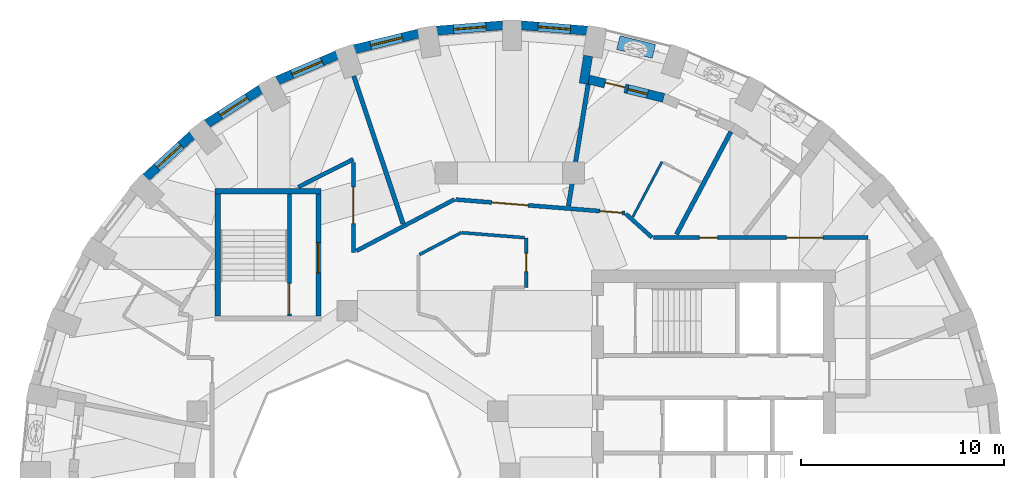
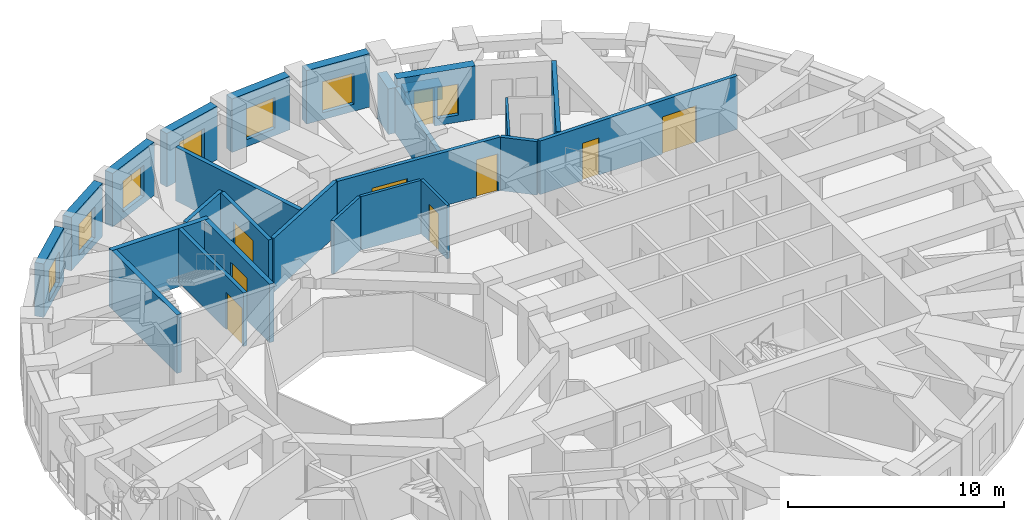
# One storey, part 7 of 12: 26 walls, 9 doors, 7 windows, 16 openings.
"""IFC4 building model written with IfcOpenShell, lengths in metres."""

from ifc_helpers import new_model, si_unit, direction, frame, frame_2d, origin, place, context, subcontext, project, spatial, rectangle, extrude, material, layer, layer_set, constituent, constituent_set, type_object, element, fill, save


model = new_model("IFC4")

# Units and contexts
model_context = context("Model", 3, precision=1e-05, world=origin(), true_north=direction((0.0, 1.0)))
body_context = subcontext(model_context, "Body", "Model", "MODEL_VIEW")
ifc_project = project(units=[si_unit("LENGTHUNIT", "METRE"), si_unit("AREAUNIT", "SQUARE_METRE"), si_unit("VOLUMEUNIT", "CUBIC_METRE"), si_unit("PLANEANGLEUNIT", "RADIAN"), si_unit("MASSUNIT", "GRAM", prefix="KILO")], contexts=[model_context])

# Site, building, storey
site_placement = place(None, origin())
site = spatial("IfcSite", under=ifc_project, at=site_placement, CompositionType="ELEMENT")
building_placement = place(site_placement, origin())
building = spatial("IfcBuilding", under=site, at=building_placement, Name="Taillehof Tower", CompositionType="ELEMENT")
storey_placement = place(building_placement, frame((0.0, 0.0, 151.699951171875)))
storey = spatial("IfcBuildingStorey", under=building, at=storey_placement, Name="L42", CompositionType="ELEMENT", Elevation=151.699951171875)

# Wall, opening, window
ifc_material_1 = material(Name="Brick masonry", Category="masonry")
ifc_layer_1 = layer(ifc_material_1, 0.449951171875)
ifc_layer_set_1 = layer_set([ifc_layer_1], Name="Brick infill wall 450")
wall_type_1 = type_object("IfcWallType", Name="Brick infill wall 450", PredefinedType="SOLIDWALL", material=ifc_layer_set_1)
wall_1_placement = place(storey_placement, frame((3.80078125, 21.778076171875, 0.0), z_axis=(0.0, 0.0, 1.0), x_axis=(-0.996812416891, 0.079780984773, 0.0)))
wall_1 = element("IfcWall", 1, at=wall_1_placement, inside=storey, type_object=wall_type_1, Name="Brick wall L42 bay 9", PredefinedType="SOLIDWALL", context=body_context, shape_type="SweptSolid", body=[
    extrude(rectangle(XDim=3.256103515625, YDim=0.449951171875, at=frame_2d((1.6279296875, 0.0))), origin(), (0.0, 0.0, 1.0), 3.02001953125),
])
opening_1_placement = place(wall_1_placement, frame((0.827880859375, 0.0, 0.39990234375)))
opening_1 = element("IfcOpeningElement", 2, at=opening_1_placement, cuts=wall_1, Name="Opening W3", PredefinedType="OPENING", context=body_context, shape_type="SweptSolid", body=[
    extrude(rectangle(XDim=1.60009765625, YDim=1.75, at=frame_2d((0.800048828125, 0.875))), frame((0.0, 0.23486328125, 0.0), z_axis=(0.0, -1.0, 0.0), x_axis=(1.0, 0.0, 0.0)), (0.0, 0.0, 1.0), 0.469970703125),
])
ifc_material_2 = material(Name="Aluminium window frame with clear double glazing", Category="aluminium")
window_type_1 = type_object("IfcWindowType", Name="Deep-set window 1600x1750", PartitioningType="SINGLE_PANEL", PredefinedType="WINDOW", material=ifc_material_2)
window_1_placement = place(opening_1_placement, origin())
window_1 = element("IfcWindow", 3, at=window_1_placement, inside=storey, type_object=window_type_1, Name="W3", OverallHeight=1.75, OverallWidth=1.60009765625, PartitioningType="SINGLE_PANEL", PredefinedType="WINDOW", context=body_context, shape_type="SweptSolid", body=[
    extrude(rectangle(XDim=1.60009765625, YDim=1.75, at=frame_2d((0.800048828125, 0.875))), frame((0.0, 0.034912109375, 0.0), z_axis=(0.0, -1.0, 0.0), x_axis=(1.0, 0.0, 0.0)), (0.0, 0.0, 1.0), 0.06005859375),
])
fill(opening_1, window_1)

wall_2_placement = place(storey_placement, frame((-0.35498046875, 22.037841796875, 0.0), z_axis=(0.0, 0.0, 1.0), x_axis=(-0.996812416891, -0.079780984773, 0.0)))
wall_2 = element("IfcWall", 4, at=wall_2_placement, inside=storey, type_object=wall_type_1, Name="Brick wall L42 bay 10", PredefinedType="SOLIDWALL", context=body_context, shape_type="SweptSolid", body=[
    extrude(rectangle(XDim=3.256103515625, YDim=0.449951171875, at=frame_2d((1.6279296875, 0.0))), origin(), (0.0, 0.0, 1.0), 3.02001953125),
])
opening_2_placement = place(wall_2_placement, frame((0.827880859375, 0.0, 0.39990234375)))
opening_2 = element("IfcOpeningElement", 5, at=opening_2_placement, cuts=wall_2, Name="Opening W3", PredefinedType="OPENING", context=body_context, shape_type="SweptSolid", body=[
    extrude(rectangle(XDim=1.60009765625, YDim=1.75, at=frame_2d((0.800048828125, 0.875))), frame((0.0, 0.23486328125, 0.0), z_axis=(0.0, -1.0, 0.0), x_axis=(1.0, 0.0, 0.0)), (0.0, 0.0, 1.0), 0.469970703125),
])
window_2_placement = place(opening_2_placement, origin())
window_2 = element("IfcWindow", 6, at=window_2_placement, inside=storey, type_object=window_type_1, Name="W3", OverallHeight=1.75, OverallWidth=1.60009765625, PartitioningType="SINGLE_PANEL", PredefinedType="WINDOW", context=body_context, shape_type="SweptSolid", body=[
    extrude(rectangle(XDim=1.60009765625, YDim=1.75, at=frame_2d((0.800048828125, 0.875))), frame((0.0, 0.034912109375, 0.0), z_axis=(0.0, -1.0, 0.0), x_axis=(1.0, 0.0, 0.0)), (0.0, 0.0, 1.0), 0.06005859375),
])
fill(opening_2, window_2)

wall_3_placement = place(storey_placement, frame((-4.499267578125, 21.633056640625, 0.0), z_axis=(0.0, 0.0, 1.0), x_axis=(-0.971232901476, -0.238131583563, 0.0)))
wall_3 = element("IfcWall", 7, at=wall_3_placement, inside=storey, type_object=wall_type_1, Name="Brick wall L42 bay 11", PredefinedType="SOLIDWALL", context=body_context, shape_type="SweptSolid", body=[
    extrude(rectangle(XDim=3.236572265625, YDim=0.449951171875, at=frame_2d((1.6181640625, 0.0))), origin(), (0.0, 0.0, 1.0), 3.02001953125),
])
opening_3_placement = place(wall_3_placement, frame((0.818359375, 0.0, 0.39990234375)))
opening_3 = element("IfcOpeningElement", 8, at=opening_3_placement, cuts=wall_3, Name="Opening W3", PredefinedType="OPENING", context=body_context, shape_type="SweptSolid", body=[
    extrude(rectangle(XDim=1.60009765625, YDim=1.75, at=frame_2d((0.800048828125, 0.875))), frame((0.0, 0.23486328125, 0.0), z_axis=(0.0, -1.0, 0.0), x_axis=(1.0, 0.0, 0.0)), (0.0, 0.0, 1.0), 0.469970703125),
])
window_3_placement = place(opening_3_placement, origin())
window_3 = element("IfcWindow", 9, at=window_3_placement, inside=storey, type_object=window_type_1, Name="W3", OverallHeight=1.75, OverallWidth=1.60009765625, PartitioningType="SINGLE_PANEL", PredefinedType="WINDOW", context=body_context, shape_type="SweptSolid", body=[
    extrude(rectangle(XDim=1.60009765625, YDim=1.75, at=frame_2d((0.800048828125, 0.875))), frame((0.0, 0.034912109375, 0.0), z_axis=(0.0, -1.0, 0.0), x_axis=(1.0, 0.0, 0.0)), (0.0, 0.0, 1.0), 0.06005859375),
])
fill(opening_3, window_3)

wall_4_placement = place(storey_placement, frame((-8.50634765625, 20.574462890625, 0.0), z_axis=(0.0, 0.0, 1.0), x_axis=(-0.919798725687, -0.392390499663, 0.0)))
wall_4 = element("IfcWall", 10, at=wall_4_placement, inside=storey, type_object=wall_type_1, Name="Brick wall L42 bay 12", PredefinedType="SOLIDWALL", context=body_context, shape_type="SweptSolid", body=[
    extrude(rectangle(XDim=3.200439453125, YDim=0.449951171875, at=frame_2d((1.60009765625, 0.0))), origin(), (0.0, 0.0, 1.0), 3.02001953125),
])
opening_4_placement = place(wall_4_placement, frame((0.80029296875, 0.0, 0.39990234375)))
opening_4 = element("IfcOpeningElement", 11, at=opening_4_placement, cuts=wall_4, Name="Opening W3", PredefinedType="OPENING", context=body_context, shape_type="SweptSolid", body=[
    extrude(rectangle(XDim=1.60009765625, YDim=1.75, at=frame_2d((0.800048828125, 0.875))), frame((0.0, 0.23486328125, 0.0), z_axis=(0.0, -1.0, 0.0), x_axis=(1.0, 0.0, 0.0)), (0.0, 0.0, 1.0), 0.469970703125),
])
window_4_placement = place(opening_4_placement, origin())
window_4 = element("IfcWindow", 12, at=window_4_placement, inside=storey, type_object=window_type_1, Name="W3", OverallHeight=1.75, OverallWidth=1.60009765625, PartitioningType="SINGLE_PANEL", PredefinedType="WINDOW", context=body_context, shape_type="SweptSolid", body=[
    extrude(rectangle(XDim=1.60009765625, YDim=1.75, at=frame_2d((0.800048828125, 0.875))), frame((0.0, 0.034912109375, 0.0), z_axis=(0.0, -1.0, 0.0), x_axis=(1.0, 0.0, 0.0)), (0.0, 0.0, 1.0), 0.06005859375),
])
fill(opening_4, window_4)

wall_5_placement = place(storey_placement, frame((-12.2548828125, 18.893310546875, 0.0), z_axis=(0.0, 0.0, 1.0), x_axis=(-0.842030726237, -0.539429565442, 0.0)))
wall_5 = element("IfcWall", 13, at=wall_5_placement, inside=storey, type_object=wall_type_1, Name="Brick wall L42 bay 13", PredefinedType="SOLIDWALL", context=body_context, shape_type="SweptSolid", body=[
    extrude(rectangle(XDim=3.1513671875, YDim=0.449951171875, at=frame_2d((1.57568359375, 0.0))), origin(), (0.0, 0.0, 1.0), 3.02001953125),
])
opening_5_placement = place(wall_5_placement, frame((0.775634765625, 0.0, 0.39990234375)))
opening_5 = element("IfcOpeningElement", 14, at=opening_5_placement, cuts=wall_5, Name="Opening W3", PredefinedType="OPENING", context=body_context, shape_type="SweptSolid", body=[
    extrude(rectangle(XDim=1.60009765625, YDim=1.75, at=frame_2d((0.800048828125, 0.875))), frame((0.0, 0.23486328125, 0.0), z_axis=(0.0, -1.0, 0.0), x_axis=(1.0, 0.0, 0.0)), (0.0, 0.0, 1.0), 0.469970703125),
])
window_5_placement = place(opening_5_placement, origin())
window_5 = element("IfcWindow", 15, at=window_5_placement, inside=storey, type_object=window_type_1, Name="W3", OverallHeight=1.75, OverallWidth=1.60009765625, PartitioningType="SINGLE_PANEL", PredefinedType="WINDOW", context=body_context, shape_type="SweptSolid", body=[
    extrude(rectangle(XDim=1.60009765625, YDim=1.75, at=frame_2d((0.800048828125, 0.875))), frame((0.0, 0.034912109375, 0.0), z_axis=(0.0, -1.0, 0.0), x_axis=(1.0, 0.0, 0.0)), (0.0, 0.0, 1.0), 0.06005859375),
])
fill(opening_5, window_5)

wall_6_placement = place(storey_placement, frame((-15.630126953125, 16.638671875, 0.0), z_axis=(0.0, 0.0, 1.0), x_axis=(-0.737808755941, -0.675009807082, 0.0)))
wall_6 = element("IfcWall", 16, at=wall_6_placement, inside=storey, type_object=wall_type_1, Name="Brick wall L42 bay 14", PredefinedType="SOLIDWALL", context=body_context, shape_type="SweptSolid", body=[
    extrude(rectangle(XDim=3.094482421875, YDim=0.449951171875, at=frame_2d((1.54736328125, 0.0))), origin(), (0.0, 0.0, 1.0), 3.02001953125),
])
opening_6_placement = place(wall_6_placement, frame((0.747314453125, 0.0, 0.39990234375)))
opening_6 = element("IfcOpeningElement", 17, at=opening_6_placement, cuts=wall_6, Name="Opening W3", PredefinedType="OPENING", context=body_context, shape_type="SweptSolid", body=[
    extrude(rectangle(XDim=1.60009765625, YDim=1.75, at=frame_2d((0.800048828125, 0.875))), frame((0.0, 0.23486328125, 0.0), z_axis=(0.0, -1.0, 0.0), x_axis=(1.0, 0.0, 0.0)), (0.0, 0.0, 1.0), 0.469970703125),
])
window_6_placement = place(opening_6_placement, origin())
window_6 = element("IfcWindow", 18, at=window_6_placement, inside=storey, type_object=window_type_1, Name="W3", OverallHeight=1.75, OverallWidth=1.60009765625, PartitioningType="SINGLE_PANEL", PredefinedType="WINDOW", context=body_context, shape_type="SweptSolid", body=[
    extrude(rectangle(XDim=1.60009765625, YDim=1.75, at=frame_2d((0.800048828125, 0.875))), frame((0.0, 0.034912109375, 0.0), z_axis=(0.0, -1.0, 0.0), x_axis=(1.0, 0.0, 0.0)), (0.0, 0.0, 1.0), 0.06005859375),
])
fill(opening_6, window_6)

# Wall
wall_7_placement = place(storey_placement, frame((3.84375, 20.537841796875, 0.0), z_axis=(0.0, 0.0, 1.0), x_axis=(-0.159641024018, -0.98717513312, 0.0)))
element("IfcWall", 19, at=wall_7_placement, inside=storey, type_object=wall_type_1, Name="Brick reveal L42 pocket 1", PredefinedType="SOLIDWALL", context=body_context, shape_type="SweptSolid", body=[
    extrude(rectangle(XDim=1.39013671875, YDim=0.449951171875, at=frame_2d((0.695068359375, 0.0))), origin(), (0.0, 0.0, 1.0), 2.570068359375),
])

# Wall, openings, door, window
wall_8_placement = place(storey_placement, frame((7.56298828125, 18.46630859375, 0.0), z_axis=(0.0, 0.0, 1.0), x_axis=(-0.97110866251, 0.238637728782, 0.0)))
wall_8 = element("IfcWall", 20, at=wall_8_placement, inside=storey, type_object=wall_type_1, Name="Brick wall L42 pocket bay 8", PredefinedType="SOLIDWALL", context=body_context, shape_type="SweptSolid", body=[
    extrude(rectangle(XDim=3.789306640625, YDim=0.449951171875, at=frame_2d((1.89453125, 0.0))), origin(), (0.0, 0.0, 1.0), 3.02001953125),
])
opening_7_placement = place(wall_8_placement, frame((0.81982421875, 0.0, 0.39990234375)))
opening_7 = element("IfcOpeningElement", 21, at=opening_7_placement, cuts=wall_8, Name="Opening W5", PredefinedType="OPENING", context=body_context, shape_type="SweptSolid", body=[
    extrude(rectangle(XDim=1.0, YDim=1.75, at=frame_2d((0.5, 0.875))), frame((0.0, 0.23486328125, 0.0), z_axis=(0.0, -1.0, 0.0), x_axis=(1.0, 0.0, 0.0)), (0.0, 0.0, 1.0), 0.469970703125),
])
opening_8_placement = place(wall_8_placement, frame((1.9697265625, 0.0, 0.0)))
opening_8 = element("IfcOpeningElement", 22, at=opening_8_placement, cuts=wall_8, Name="Opening D4296", PredefinedType="OPENING", context=body_context, shape_type="SweptSolid", body=[
    extrude(rectangle(XDim=1.0, YDim=2.14990234375, at=frame_2d((0.5, 1.074951171875))), frame((0.0, 0.23486328125, 0.0), z_axis=(0.0, -1.0, 0.0), x_axis=(1.0, 0.0, 0.0)), (0.0, 0.0, 1.0), 0.469970703125),
])
ifc_material_3 = material(Name="Aluminium door frame with clear double glazing", Category="aluminium")
door_type_1 = type_object("IfcDoorType", Name="Balcony door 1000x2150", OperationType="SINGLE_SWING_RIGHT", PredefinedType="DOOR", material=ifc_material_3)
door_1_placement = place(opening_8_placement, frame((1.0, 0.0, 0.0), z_axis=(0.0, 0.0, 1.0), x_axis=(-1.0, 0.0, 0.0)))
door_1 = element("IfcDoor", 23, at=door_1_placement, inside=storey, type_object=door_type_1, Name="Balcony door L42 bay 8", OperationType="SINGLE_SWING_LEFT", OverallHeight=2.14990234375, OverallWidth=1.0, PredefinedType="DOOR", context=body_context, shape_type="SweptSolid", body=[
    extrude(rectangle(XDim=1.0, YDim=2.14990234375, at=frame_2d((0.5, 1.074951171875))), frame((0.0, 0.0751953125, 0.0), z_axis=(0.0, -1.0, 0.0), x_axis=(1.0, 0.0, 0.0)), (0.0, 0.0, 1.0), 0.050048828125),
])
fill(opening_8, door_1)
ifc_material_4 = material(Name="Aluminium window frame with clear double glazing", Category="aluminium")
window_type_2 = type_object("IfcWindowType", Name="Fixed window 1000x1750", PartitioningType="SINGLE_PANEL", PredefinedType="WINDOW", material=ifc_material_4)
window_7_placement = place(opening_7_placement, origin())
window_7 = element("IfcWindow", 24, at=window_7_placement, inside=storey, type_object=window_type_2, Name="W5", OverallHeight=1.75, OverallWidth=1.0, PartitioningType="SINGLE_PANEL", PredefinedType="WINDOW", context=body_context, shape_type="SweptSolid", body=[
    extrude(rectangle(XDim=1.0, YDim=1.75, at=frame_2d((0.5, 0.875))), frame((0.0, 0.034912109375, 0.0), z_axis=(0.0, -1.0, 0.0), x_axis=(1.0, 0.0, 0.0)), (0.0, 0.0, 1.0), 0.06005859375),
])
fill(opening_7, window_7)

# Wall
ifc_material_5 = material(Name="Gypsum board on steel studs, two layers each side", Category="steel")
ifc_layer_2 = layer(ifc_material_5, 0.199951171875)
ifc_layer_set_2 = layer_set([ifc_layer_2], Name="Compartment wall corridor 200")
wall_type_2 = type_object("IfcWallType", Name="Compartment wall corridor 200", PredefinedType="PARTITIONING", material=ifc_layer_set_2)
wall_9_placement = place(storey_placement, frame((-10.416259765625, 14.08154296875, 0.0), z_axis=(0.0, 0.0, 1.0), x_axis=(0.892396808139, 0.451251522793, 0.0)))
element("IfcWall", 25, at=wall_9_placement, inside=storey, type_object=wall_type_2, Name="Compartment wall", PredefinedType="PARTITIONING", context=body_context, shape_type="SweptSolid", body=[
    extrude(rectangle(XDim=3.0439453125, YDim=0.199951171875, at=frame_2d((1.52197265625, 0.0))), origin(), (0.0, 0.0, 1.0), 3.02001953125),
])

# Wall, opening, door
wall_10_placement = place(storey_placement, frame((-7.699951171875, 15.294921875, 0.0), z_axis=(0.0, 0.0, 1.0), x_axis=(0.0, -1.0, 0.0)))
wall_10 = element("IfcWall", 26, at=wall_10_placement, inside=storey, type_object=wall_type_2, Name="Compartment wall", PredefinedType="PARTITIONING", context=body_context, shape_type="SweptSolid", body=[
    extrude(rectangle(XDim=4.42724609375, YDim=0.199951171875, at=frame_2d((2.213623046875, 0.0))), origin(), (0.0, 0.0, 1.0), 3.02001953125),
])
opening_9_placement = place(wall_10_placement, frame((1.20703125, 0.0, 0.0)))
opening_9 = element("IfcOpeningElement", 27, at=opening_9_placement, cuts=wall_10, Name="Opening D4244", PredefinedType="OPENING", context=body_context, shape_type="SweptSolid", body=[
    extrude(rectangle(XDim=1.800048828125, YDim=2.10009765625, at=frame_2d((0.89990234375, 1.050048828125))), frame((0.0, 0.10986328125, 0.0), z_axis=(0.0, -1.0, 0.0), x_axis=(1.0, 0.0, 0.0)), (0.0, 0.0, 1.0), 0.219970703125),
])
ifc_material_6 = material(Name="Timber door leaf in steel frame", Category="steel")
door_type_2 = type_object("IfcDoorType", Name="Lounge and meeting room double door EI 30 1800 x 2100", OperationType="SINGLE_SWING_LEFT", PredefinedType="DOOR", material=ifc_material_6)
door_2_placement = place(opening_9_placement, origin())
door_2 = element("IfcDoor", 28, at=door_2_placement, inside=storey, type_object=door_type_2, Name="D4244", OperationType="DOUBLE_DOOR_SINGLE_SWING", OverallHeight=2.10009765625, OverallWidth=1.800048828125, PredefinedType="DOOR", context=body_context, shape_type="SweptSolid", body=[
    extrude(rectangle(XDim=1.800048828125, YDim=2.10009765625, at=frame_2d((0.89990234375, 1.050048828125))), frame((0.0, 0.02490234375, 0.0), z_axis=(0.0, -1.0, 0.0), x_axis=(1.0, 0.0, 0.0)), (0.0, 0.0, 1.0), 0.050048828125),
])
fill(opening_9, door_2)

# Wall
wall_11_placement = place(storey_placement, frame((-7.557373046875, 10.94189453125, 0.0), z_axis=(0.0, 0.0, 1.0), x_axis=(0.885672830659, 0.464309850244, 0.0)))
element("IfcWall", 29, at=wall_11_placement, inside=storey, type_object=wall_type_2, Name="Compartment wall", PredefinedType="PARTITIONING", context=body_context, shape_type="SweptSolid", body=[
    extrude(rectangle(XDim=5.45166015625, YDim=0.199951171875, at=frame_2d((2.725830078125, 0.0))), origin(), (0.0, 0.0, 1.0), 3.02001953125),
])

# Wall, openings, doors
wall_12_placement = place(storey_placement, frame((-2.6689453125, 13.468017578125, 0.0), z_axis=(0.0, 0.0, 1.0), x_axis=(0.996831622407, -0.079540659849, 0.0)))
wall_12 = element("IfcWall", 30, at=wall_12_placement, inside=storey, type_object=wall_type_2, Name="Compartment wall", PredefinedType="PARTITIONING", context=body_context, shape_type="SweptSolid", body=[
    extrude(rectangle(XDim=8.3486328125, YDim=0.199951171875, at=frame_2d((4.17431640625, 0.0))), origin(), (0.0, 0.0, 1.0), 3.02001953125),
])
opening_10_placement = place(wall_12_placement, frame((7.108642578125, 0.0, 0.0)))
opening_10 = element("IfcOpeningElement", 31, at=opening_10_placement, cuts=wall_12, Name="Opening D4241", PredefinedType="OPENING", context=body_context, shape_type="SweptSolid", body=[
    extrude(rectangle(XDim=1.10009765625, YDim=2.10009765625, at=frame_2d((0.550048828125, 1.050048828125))), frame((0.0, 0.10986328125, 0.0), z_axis=(0.0, -1.0, 0.0), x_axis=(1.0, 0.0, 0.0)), (0.0, 0.0, 1.0), 0.219970703125),
])
opening_11_placement = place(wall_12_placement, frame((1.774658203125, 0.0, 0.0)))
opening_11 = element("IfcOpeningElement", 32, at=opening_11_placement, cuts=wall_12, Name="Opening D4243", PredefinedType="OPENING", context=body_context, shape_type="SweptSolid", body=[
    extrude(rectangle(XDim=1.800048828125, YDim=2.10009765625, at=frame_2d((0.89990234375, 1.050048828125))), frame((0.0, 0.10986328125, 0.0), z_axis=(0.0, -1.0, 0.0), x_axis=(1.0, 0.0, 0.0)), (0.0, 0.0, 1.0), 0.219970703125),
])
ifc_material_7 = material(Name="Timber door leaf in steel frame", Category="steel")
door_type_3 = type_object("IfcDoorType", Name="Accessible guest room door EI 30 1100 x 2100", OperationType="SINGLE_SWING_LEFT", PredefinedType="DOOR", material=ifc_material_7)
door_3_placement = place(opening_10_placement, origin())
door_3 = element("IfcDoor", 33, at=door_3_placement, inside=storey, type_object=door_type_3, Name="D4241", OperationType="SINGLE_SWING_LEFT", OverallHeight=2.10009765625, OverallWidth=1.10009765625, PredefinedType="DOOR", context=body_context, shape_type="SweptSolid", body=[
    extrude(rectangle(XDim=1.10009765625, YDim=2.10009765625, at=frame_2d((0.550048828125, 1.050048828125))), frame((0.0, 0.02490234375, 0.0), z_axis=(0.0, -1.0, 0.0), x_axis=(1.0, 0.0, 0.0)), (0.0, 0.0, 1.0), 0.050048828125),
])
fill(opening_10, door_3)
door_4_placement = place(opening_11_placement, origin())
door_4 = element("IfcDoor", 34, at=door_4_placement, inside=storey, type_object=door_type_2, Name="D4243", OperationType="DOUBLE_DOOR_SINGLE_SWING", OverallHeight=2.10009765625, OverallWidth=1.800048828125, PredefinedType="DOOR", context=body_context, shape_type="SweptSolid", body=[
    extrude(rectangle(XDim=1.800048828125, YDim=2.10009765625, at=frame_2d((0.89990234375, 1.050048828125))), frame((0.0, 0.02490234375, 0.0), z_axis=(0.0, -1.0, 0.0), x_axis=(1.0, 0.0, 0.0)), (0.0, 0.0, 1.0), 0.050048828125),
])
fill(opening_11, door_4)

# Wall
wall_13_placement = place(storey_placement, frame((5.697998046875, 12.763671875, 0.0), z_axis=(0.0, 0.0, 1.0), x_axis=(0.742944876657, -0.669352605321, 0.0)))
element("IfcWall", 35, at=wall_13_placement, inside=storey, type_object=wall_type_2, Name="Compartment wall", PredefinedType="PARTITIONING", context=body_context, shape_type="SweptSolid", body=[
    extrude(rectangle(XDim=1.73828125, YDim=0.199951171875, at=frame_2d((0.869140625, 0.0))), origin(), (0.0, 0.0, 1.0), 3.02001953125),
])

# Wall, openings, doors
wall_14_placement = place(storey_placement, frame((7.049560546875, 11.60009765625, 0.0), z_axis=(0.0, 0.0, 1.0), x_axis=(1.0, 0.0, 0.0)))
wall_14 = element("IfcWall", 36, at=wall_14_placement, inside=storey, type_object=wall_type_2, Name="Compartment wall", PredefinedType="PARTITIONING", context=body_context, shape_type="SweptSolid", body=[
    extrude(rectangle(XDim=10.550537109375, YDim=0.199951171875, at=frame_2d((5.275390625, 0.0))), origin(), (0.0, 0.0, 1.0), 3.02001953125),
])
opening_12_placement = place(wall_14_placement, frame((2.263671875, 0.0, 0.0)))
opening_12 = element("IfcOpeningElement", 37, at=opening_12_placement, cuts=wall_14, Name="Opening D4240", PredefinedType="OPENING", context=body_context, shape_type="SweptSolid", body=[
    extrude(rectangle(XDim=0.89990234375, YDim=2.10009765625, at=frame_2d((0.449951171875, 1.050048828125))), frame((0.0, 0.10986328125, 0.0), z_axis=(0.0, -1.0, 0.0), x_axis=(1.0, 0.0, 0.0)), (0.0, 0.0, 1.0), 0.219970703125),
])
opening_13_placement = place(wall_14_placement, frame((6.552734375, 0.0, 0.0)))
opening_13 = element("IfcOpeningElement", 38, at=opening_13_placement, cuts=wall_14, Name="Opening D4259", PredefinedType="OPENING", context=body_context, shape_type="SweptSolid", body=[
    extrude(rectangle(XDim=1.800048828125, YDim=2.10009765625, at=frame_2d((0.89990234375, 1.050048828125))), frame((0.0, 0.10986328125, 0.0), z_axis=(0.0, -1.0, 0.0), x_axis=(1.0, 0.0, 0.0)), (0.0, 0.0, 1.0), 0.219970703125),
])
door_5_placement = place(opening_13_placement, origin())
door_5 = element("IfcDoor", 39, at=door_5_placement, inside=storey, type_object=door_type_2, Name="D4259", OperationType="DOUBLE_DOOR_SINGLE_SWING", OverallHeight=2.10009765625, OverallWidth=1.800048828125, PredefinedType="DOOR", context=body_context, shape_type="SweptSolid", body=[
    extrude(rectangle(XDim=1.800048828125, YDim=2.10009765625, at=frame_2d((0.89990234375, 1.050048828125))), frame((0.0, 0.02490234375, 0.0), z_axis=(0.0, -1.0, 0.0), x_axis=(1.0, 0.0, 0.0)), (0.0, 0.0, 1.0), 0.050048828125),
])
fill(opening_13, door_5)
ifc_material_8 = material(Name="Timber door leaf in steel frame", Category="steel")
door_type_4 = type_object("IfcDoorType", Name="Service room door EI 30 900 x 2100", OperationType="SINGLE_SWING_LEFT", PredefinedType="DOOR", material=ifc_material_8)
door_6_placement = place(opening_12_placement, origin())
door_6 = element("IfcDoor", 40, at=door_6_placement, inside=storey, type_object=door_type_4, Name="D4240", OperationType="SINGLE_SWING_LEFT", OverallHeight=2.10009765625, OverallWidth=0.89990234375, PredefinedType="DOOR", context=body_context, shape_type="SweptSolid", body=[
    extrude(rectangle(XDim=0.89990234375, YDim=2.10009765625, at=frame_2d((0.449951171875, 1.050048828125))), frame((0.0, 0.02490234375, 0.0), z_axis=(0.0, -1.0, 0.0), x_axis=(1.0, 0.0, 0.0)), (0.0, 0.0, 1.0), 0.050048828125),
])
fill(opening_12, door_6)

# Walls
ifc_material_9 = material(Name="Gypsum board on double steel studs with mineral wool", Category="steel")
ifc_layer_3 = layer(ifc_material_9, 0.219970703125)
ifc_layer_set_3 = layer_set([ifc_layer_3], Name="Compartment wall guest room 220")
wall_type_3 = type_object("IfcWallType", Name="Compartment wall guest room 220", PredefinedType="PARTITIONING", material=ifc_layer_set_3)
wall_15_placement = place(storey_placement, frame((10.865234375, 16.805908203125, 0.0), z_axis=(0.0, 0.0, 1.0), x_axis=(-0.468046615648, -0.883703777054, 0.0)))
element("IfcWall", 41, at=wall_15_placement, inside=storey, type_object=wall_type_3, Name="Compartment wall", PredefinedType="PARTITIONING", context=body_context, shape_type="SweptSolid", body=[
    extrude(rectangle(XDim=5.718017578125, YDim=0.219970703125, at=frame_2d((2.85888671875, 0.0))), origin(), (0.0, 0.0, 1.0), 3.02001953125),
])
wall_16_placement = place(storey_placement, frame((3.846923828125, 19.14794921875, 0.0), z_axis=(0.0, 0.0, 1.0), x_axis=(-0.159656618209, -0.987172611179, 0.0)))
element("IfcWall", 42, at=wall_16_placement, inside=storey, type_object=wall_type_3, Name="Compartment wall", PredefinedType="PARTITIONING", context=body_context, shape_type="SweptSolid", body=[
    extrude(rectangle(XDim=6.079833984375, YDim=0.219970703125, at=frame_2d((3.0400390625, 0.0))), origin(), (0.0, 0.0, 1.0), 2.570068359375),
])
wall_17_placement = place(storey_placement, frame((-7.682861328125, 19.544921875, 0.0), z_axis=(0.0, 0.0, 1.0), x_axis=(0.316706037399, -0.94852374028, 0.0)))
element("IfcWall", 43, at=wall_17_placement, inside=storey, type_object=wall_type_3, Name="Compartment wall", PredefinedType="PARTITIONING", context=body_context, shape_type="SweptSolid", body=[
    extrude(rectangle(XDim=7.65625, YDim=0.219970703125, at=frame_2d((3.828125, 0.0))), origin(), (0.0, 0.0, 1.0), 3.02001953125),
])

# Wall, opening, door
ifc_material_10 = material(Name="Gypsum board on steel studs, two layers each side", Category="steel")
ifc_layer_4 = layer(ifc_material_10, 0.14990234375)
ifc_layer_set_4 = layer_set([ifc_layer_4], Name="Compartment wall service room 150")
wall_type_4 = type_object("IfcWallType", Name="Compartment wall service room 150", PredefinedType="PARTITIONING", material=ifc_layer_set_4)
wall_18_placement = place(storey_placement, frame((0.800048828125, 11.586181640625, 0.0), z_axis=(0.0, 0.0, 1.0), x_axis=(0.0, -1.0, 0.0)))
wall_18 = element("IfcWall", 44, at=wall_18_placement, inside=storey, type_object=wall_type_4, Name="Compartment wall", PredefinedType="PARTITIONING", context=body_context, shape_type="SweptSolid", body=[
    extrude(rectangle(XDim=2.436279296875, YDim=0.14990234375, at=frame_2d((1.21826171875, 0.0))), origin(), (0.0, 0.0, 1.0), 3.02001953125),
])
opening_14_placement = place(wall_18_placement, frame((0.76806640625, 0.0, 0.0)))
opening_14 = element("IfcOpeningElement", 45, at=opening_14_placement, cuts=wall_18, Name="Opening D4260", PredefinedType="OPENING", context=body_context, shape_type="SweptSolid", body=[
    extrude(rectangle(XDim=0.89990234375, YDim=2.10009765625, at=frame_2d((0.449951171875, 1.050048828125))), frame((0.0, 0.0849609375, 0.0), z_axis=(0.0, -1.0, 0.0), x_axis=(1.0, 0.0, 0.0)), (0.0, 0.0, 1.0), 0.169921875),
])
door_7_placement = place(opening_14_placement, origin())
door_7 = element("IfcDoor", 46, at=door_7_placement, inside=storey, type_object=door_type_4, Name="D4260", OperationType="SINGLE_SWING_RIGHT", OverallHeight=2.10009765625, OverallWidth=0.89990234375, PredefinedType="DOOR", context=body_context, shape_type="SweptSolid", body=[
    extrude(rectangle(XDim=0.89990234375, YDim=2.10009765625, at=frame_2d((0.449951171875, 1.050048828125))), frame((0.0, 0.02490234375, 0.0), z_axis=(0.0, -1.0, 0.0), x_axis=(1.0, 0.0, 0.0)), (0.0, 0.0, 1.0), 0.050048828125),
])
fill(opening_14, door_7)

# Walls
wall_19_placement = place(storey_placement, frame((-4.446533203125, 10.766357421875, 0.0), z_axis=(0.0, 0.0, 1.0), x_axis=(0.885701482048, 0.464255193507, 0.0)))
element("IfcWall", 47, at=wall_19_placement, inside=storey, type_object=wall_type_4, Name="Compartment wall", PredefinedType="PARTITIONING", context=body_context, shape_type="SweptSolid", body=[
    extrude(rectangle(XDim=2.3154296875, YDim=0.14990234375, at=frame_2d((1.15771484375, 0.0))), origin(), (0.0, 0.0, 1.0), 3.02001953125),
])
wall_20_placement = place(storey_placement, frame((-2.355712890625, 11.837890625, 0.0), z_axis=(0.0, 0.0, 1.0), x_axis=(0.996845649151, -0.079364675829, 0.0)))
element("IfcWall", 48, at=wall_20_placement, inside=storey, type_object=wall_type_4, Name="Compartment wall", PredefinedType="PARTITIONING", context=body_context, shape_type="SweptSolid", body=[
    extrude(rectangle(XDim=3.08544921875, YDim=0.14990234375, at=frame_2d((1.542724609375, 0.0))), origin(), (0.0, 0.0, 1.0), 3.02001953125),
])
ifc_material_11 = material(Name="Gypsum board on steel studs, moisture resistant", Category="steel")
ifc_layer_5 = layer(ifc_material_11, 0.1201171875)
ifc_layer_set_5 = layer_set([ifc_layer_5], Name="En-suite wall 120")
wall_type_5 = type_object("IfcWallType", Name="En-suite wall 120", PredefinedType="PARTITIONING", material=ifc_layer_set_5)
wall_21_placement = place(storey_placement, frame((6.04248046875, 12.614013671875, 0.0), z_axis=(0.0, 0.0, 1.0), x_axis=(0.46804844257, 0.883702809438, 0.0)))
element("IfcWall", 49, at=wall_21_placement, inside=storey, type_object=wall_type_5, Name="En-suite wall", PredefinedType="PARTITIONING", context=body_context, shape_type="SweptSolid", body=[
    extrude(rectangle(XDim=3.07080078125, YDim=0.1201171875, at=frame_2d((1.535400390625, 0.0))), origin(), (0.0, 0.0, 1.0), 3.02001953125),
])
ifc_material_12 = material(Name="Concrete C30/37 precast", Category="concrete")
ifc_constituent_1 = constituent(ifc_material_12, Name="Structure", Category="concrete")
ifc_material_13 = material(Name="Insulated lining")
ifc_constituent_2 = constituent(ifc_material_13, Name="Lining")
ifc_constituent_set = constituent_set(constituents=[ifc_constituent_1, ifc_constituent_2], Name="Planter trough 700x750")
wall_type_6 = type_object("IfcWallType", Name="Planter trough 700x750", PredefinedType="USERDEFINED", material=ifc_constituent_set)
wall_22_placement = place(storey_placement, frame((7.077392578125, 20.756591796875, 0.0), z_axis=(0.0, 0.0, 1.0), x_axis=(-0.971249321581, 0.238064603265, 0.0)))
element("IfcWall", 50, at=wall_22_placement, inside=storey, type_object=wall_type_6, Name="Planter L42 bay 8", ObjectType="PLANTER", PredefinedType="USERDEFINED", context=body_context, shape_type="SweptSolid", body=[
    extrude(rectangle(XDim=1.7998046875, YDim=0.699951171875, at=frame_2d((0.89990234375, 0.0))), origin(), (0.0, 0.0, 1.0), 0.75),
])

# Wall, opening, door
ifc_material_14 = material(Name="Concrete C50/60", Category="concrete")
ifc_layer_6 = layer(ifc_material_14, 0.199951171875)
ifc_layer_set_6 = layer_set([ifc_layer_6], Name="Shaft wall C50/60 200")
wall_type_7 = type_object("IfcWallType", Name="Shaft wall C50/60 200", PredefinedType="SHEAR", material=ifc_layer_set_6)
wall_23_placement = place(storey_placement, frame((-10.85009765625, 7.75, 0.0), z_axis=(0.0, 0.0, 1.0), x_axis=(0.0, 1.0, 0.0)))
wall_23 = element("IfcWall", 51, at=wall_23_placement, inside=storey, type_object=wall_type_7, Name="Shaft wall SW", PredefinedType="SHEAR", context=body_context, shape_type="SweptSolid", body=[
    extrude(rectangle(XDim=6.0, YDim=0.199951171875, at=frame_2d((3.0, 0.0))), origin(), (0.0, 0.0, 1.0), 3.02001953125),
])
opening_15_placement = place(wall_23_placement, frame((0.10009765625, 0.0, 0.0)))
opening_15 = element("IfcOpeningElement", 52, at=opening_15_placement, cuts=wall_23, Name="Opening D4212", PredefinedType="OPENING", context=body_context, shape_type="SweptSolid", body=[
    extrude(rectangle(XDim=1.5, YDim=2.10009765625, at=frame_2d((0.75, 1.050048828125))), frame((0.0, 0.10986328125, 0.0), z_axis=(0.0, -1.0, 0.0), x_axis=(1.0, 0.0, 0.0)), (0.0, 0.0, 1.0), 0.219970703125),
])
ifc_material_15 = material(Name="Steel-faced fire door", Category="steel")
door_type_5 = type_object("IfcDoorType", Name="Stair door 1500x2100", OperationType="DOUBLE_DOOR_SINGLE_SWING", PredefinedType="DOOR", material=ifc_material_15)
door_8_placement = place(opening_15_placement, origin())
door_8 = element("IfcDoor", 53, at=door_8_placement, inside=storey, type_object=door_type_5, Name="Stair lobby door S3", OperationType="DOUBLE_DOOR_SINGLE_SWING", OverallHeight=2.10009765625, OverallWidth=1.5, PredefinedType="DOOR", context=body_context, shape_type="SweptSolid", body=[
    extrude(rectangle(XDim=1.5, YDim=2.10009765625, at=frame_2d((0.75, 1.050048828125))), frame((0.0, 0.02490234375, 0.0), z_axis=(0.0, -1.0, 0.0), x_axis=(1.0, 0.0, 0.0)), (0.0, 0.0, 1.0), 0.050048828125),
])
fill(opening_15, door_8)

# Wall
ifc_material_16 = material(Name="Concrete C50/60", Category="concrete")
ifc_layer_7 = layer(ifc_material_16, 0.25)
ifc_layer_set_7 = layer_set([ifc_layer_7], Name="Stair wall C50/60 250")
wall_type_8 = type_object("IfcWallType", Name="Stair wall C50/60 250", PredefinedType="SHEAR", material=ifc_layer_set_7)
wall_24_placement = place(storey_placement, frame((-14.375, 7.75, -0.280029296875), z_axis=(0.0, 0.0, 1.0), x_axis=(0.0, 1.0, 0.0)))
element("IfcWall", 54, at=wall_24_placement, inside=storey, type_object=wall_type_8, Name="Stair wall SC", PredefinedType="SHEAR", context=body_context, shape_type="SweptSolid", body=[
    extrude(rectangle(XDim=6.0, YDim=0.25, at=frame_2d((3.0, 0.0))), origin(), (0.0, 0.0, 1.0), 3.300048828125),
])

# Wall, opening, door
wall_25_placement = place(storey_placement, frame((-9.425048828125, 7.75, -0.280029296875), z_axis=(0.0, 0.0, 1.0), x_axis=(0.0, 1.0, 0.0)))
wall_25 = element("IfcWall", 55, at=wall_25_placement, inside=storey, type_object=wall_type_8, Name="Stair wall SC", PredefinedType="SHEAR", context=body_context, shape_type="SweptSolid", body=[
    extrude(rectangle(XDim=6.0, YDim=0.25, at=frame_2d((3.0, 0.0))), origin(), (0.0, 0.0, 1.0), 3.300048828125),
])
opening_16_placement = place(wall_25_placement, frame((2.10009765625, 0.0, 0.280029296875)))
opening_16 = element("IfcOpeningElement", 56, at=opening_16_placement, cuts=wall_25, Name="Opening D4215", PredefinedType="OPENING", context=body_context, shape_type="SweptSolid", body=[
    extrude(rectangle(XDim=1.5, YDim=2.10009765625, at=frame_2d((0.75, 1.050048828125))), frame((0.0, 0.135009765625, 0.0), z_axis=(0.0, -1.0, 0.0), x_axis=(1.0, 0.0, 0.0)), (0.0, 0.0, 1.0), 0.27001953125),
])
door_9_placement = place(opening_16_placement, origin())
door_9 = element("IfcDoor", 57, at=door_9_placement, inside=storey, type_object=door_type_5, Name="Stair door S3", OperationType="DOUBLE_DOOR_SINGLE_SWING", OverallHeight=2.10009765625, OverallWidth=1.5, PredefinedType="DOOR", context=body_context, shape_type="SweptSolid", body=[
    extrude(rectangle(XDim=1.5, YDim=2.10009765625, at=frame_2d((0.75, 1.050048828125))), frame((0.0, 0.02490234375, 0.0), z_axis=(0.0, -1.0, 0.0), x_axis=(1.0, 0.0, 0.0)), (0.0, 0.0, 1.0), 0.050048828125),
])
fill(opening_16, door_9)

# Wall
wall_26_placement = place(storey_placement, frame((-14.5, 13.875, -0.280029296875), z_axis=(0.0, 0.0, 1.0), x_axis=(1.0, 0.0, 0.0)))
element("IfcWall", 58, at=wall_26_placement, inside=storey, type_object=wall_type_8, Name="Stair wall SC", PredefinedType="SHEAR", context=body_context, shape_type="SweptSolid", body=[
    extrude(rectangle(XDim=5.199951171875, YDim=0.25, at=frame_2d((2.60009765625, 0.0))), origin(), (0.0, 0.0, 1.0), 3.300048828125),
])

save(model, "model.ifc")
